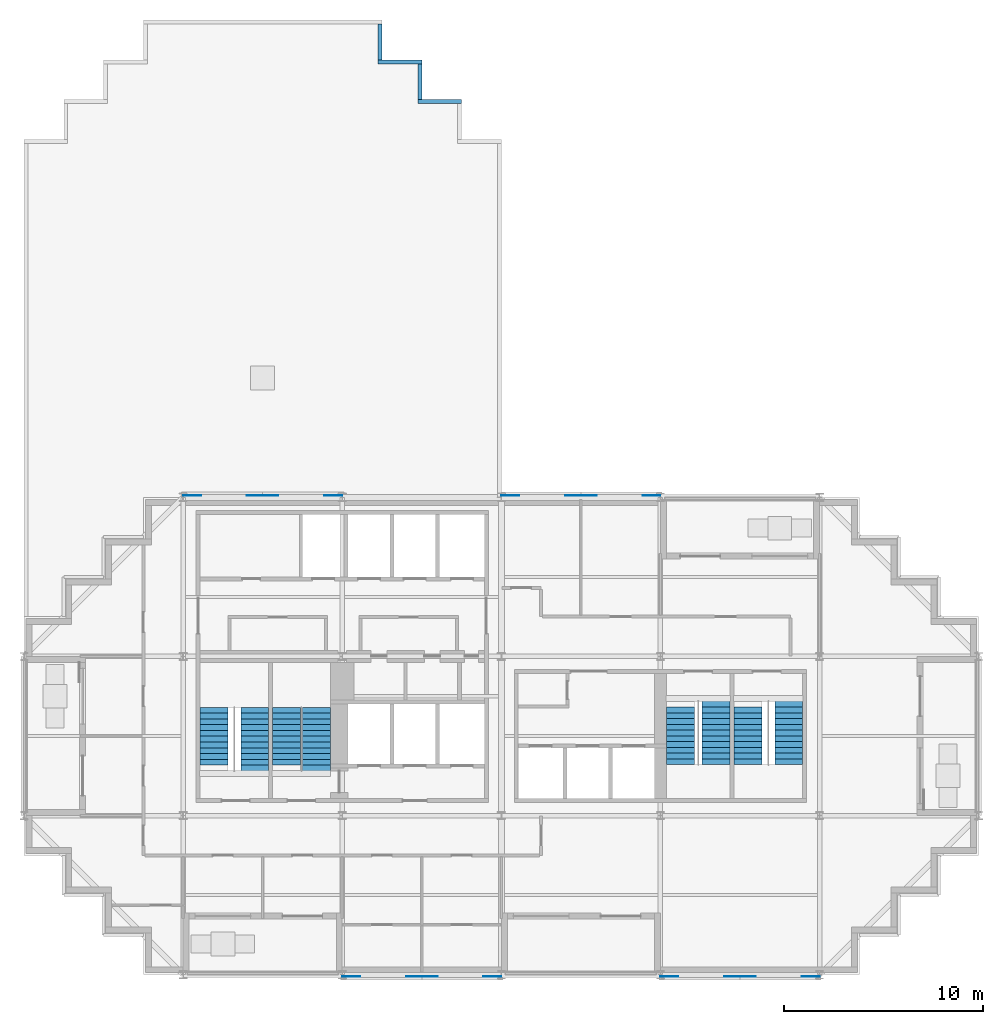
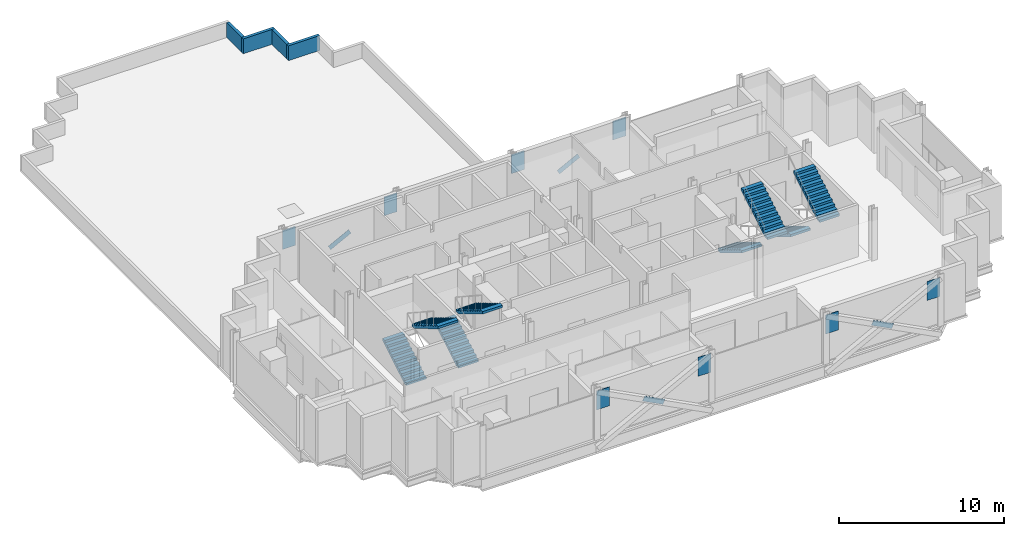
# One storey, part 7 of 9: 12 discrete accessories, 8 stair flights, 4 walls, 4 elements without a shape of their own.
"""IFC4 building model written with IfcOpenShell, lengths in metres."""

from ifc_helpers import new_model, si_unit, direction, frame, frame_2d, origin, origin_2d, place, context, subcontext, project, spatial, polyline, rectangle, outline, extrude, material, layer, layer_set, material_profile, profile_set, type_object, element, aggregate, save


model = new_model("IFC4")

# Units and contexts
model_context = context("Model", 3, precision=1e-05, world=origin(), true_north=direction((0.0, 1.0)))
body_context = subcontext(model_context, "Body", "Model", "MODEL_VIEW")
ifc_project = project(units=[si_unit("LENGTHUNIT", "METRE"), si_unit("AREAUNIT", "SQUARE_METRE"), si_unit("VOLUMEUNIT", "CUBIC_METRE"), si_unit("PLANEANGLEUNIT", "RADIAN"), si_unit("MASSUNIT", "GRAM", prefix="KILO")], contexts=[model_context])

# Site, building, storey
site_placement = place(None, origin())
site = spatial("IfcSite", under=ifc_project, at=site_placement, CompositionType="ELEMENT")
building_placement = place(site_placement, origin())
building = spatial("IfcBuilding", under=site, at=building_placement, Name="Immortelle Media Tower", CompositionType="ELEMENT")
storey_placement = place(building_placement, frame((0.0, 0.0, 189.0)))
storey = spatial("IfcBuildingStorey", under=building, at=storey_placement, Name="L39", CompositionType="ELEMENT", Elevation=189.0)

# Walls
ifc_material_1 = material(Name="Pale aluminium coping panel", Category="aluminium")
ifc_layer_1 = layer(ifc_material_1, 0.030029296875)
ifc_material_2 = material(Name="Steel ASTM A653 SS Gr 50 stud frame with mineral wool", Category="steel")
ifc_layer_2 = layer(ifc_material_2, 0.139892578125)
ifc_layer_3 = layer(ifc_material_1, 0.030029296875)
ifc_layer_set = layer_set([ifc_layer_1, ifc_layer_2, ifc_layer_3], Name="Steel ASTM A653 SS Gr 50 stud frame with mineral wool")
wall_type = type_object("IfcWallType", Name="Parapet 200", PredefinedType="PARAPET", material=ifc_layer_set)
wall_1_placement = place(storey_placement, frame((17.89990234375, 47.800048828125, 0.0), z_axis=(0.0, 0.0, 1.0), x_axis=(0.0, -1.0, 0.0)))
element("IfcWall", 1, at=wall_1_placement, inside=storey, type_object=wall_type, Name="Roof parapet L39 NW", PredefinedType="PARAPET", context=body_context, shape_type="SweptSolid", body=[
    extrude(rectangle(XDim=1.800048828125, YDim=0.199951171875, at=frame_2d((0.89990234375, 0.0))), origin(), (0.0, 0.0, 1.0), 1.10009765625),
])
wall_2_placement = place(storey_placement, frame((17.800048828125, 45.89990234375, 0.0), z_axis=(0.0, 0.0, 1.0), x_axis=(1.0, 0.0, 0.0)))
element("IfcWall", 2, at=wall_2_placement, inside=storey, type_object=wall_type, Name="Roof parapet L39 NW", PredefinedType="PARAPET", context=body_context, shape_type="SweptSolid", body=[
    extrude(rectangle(XDim=2.199951171875, YDim=0.199951171875, at=frame_2d((1.10009765625, 0.0))), origin(), (0.0, 0.0, 1.0), 1.10009765625),
])
wall_3_placement = place(storey_placement, frame((19.89990234375, 45.800048828125, 0.0), z_axis=(0.0, 0.0, 1.0), x_axis=(0.0, -1.0, 0.0)))
element("IfcWall", 3, at=wall_3_placement, inside=storey, type_object=wall_type, Name="Roof parapet L39 NW", PredefinedType="PARAPET", context=body_context, shape_type="SweptSolid", body=[
    extrude(rectangle(XDim=1.800048828125, YDim=0.199951171875, at=frame_2d((0.89990234375, 0.0))), origin(), (0.0, 0.0, 1.0), 1.10009765625),
])
wall_4_placement = place(storey_placement, frame((19.800048828125, 43.89990234375, 0.0), z_axis=(0.0, 0.0, 1.0), x_axis=(1.0, 0.0, 0.0)))
element("IfcWall", 4, at=wall_4_placement, inside=storey, type_object=wall_type, Name="Roof parapet L39 NW", PredefinedType="PARAPET", context=body_context, shape_type="SweptSolid", body=[
    extrude(rectangle(XDim=2.199951171875, YDim=0.199951171875, at=frame_2d((1.10009765625, 0.0))), origin(), (0.0, 0.0, 1.0), 1.10009765625),
])

# Stair, stair flights
ifc_material_3 = material(Name="Steel ASTM A992 Gr 50", Category="steel")
stair_type = type_object("IfcStairType", Name="Stair with flights", PredefinedType="DOUBLE_RETURN_STAIR", material=ifc_material_3)
stair_1_placement = place(storey_placement, origin())
stair_1 = element("IfcStair", 5, at=stair_1_placement, inside=storey, type_object=stair_type, Name="Exit stair SW1", PredefinedType="DOUBLE_RETURN_STAIR")
stair_flight_type = type_object("IfcStairFlightType", Name="Stair flight 1400", PredefinedType="STRAIGHT", material=ifc_material_3)
stair_flight_1_placement = place(storey_placement, frame((9.550048828125, 10.5400390625, 0.0), z_axis=(0.0, 0.0, 1.0), x_axis=(0.0, 1.0, 0.0)))
stair_flight_1 = element("IfcStairFlight", 6, at=stair_flight_1_placement, type_object=stair_flight_type, Name="ST SW1 flight 1", NumberOfRisers=11, NumberOfTreads=10, PredefinedType="STRAIGHT", RiserHeight=0.173913043, TreadLength=0.29, context=body_context, shape_type="SweptSolid", body=[
    extrude(outline(polyline([(0.0, 0.0), (0.0, 0.173828125), (0.2900390625, 0.173828125), (0.2900390625, 0.347900390625), (0.580078125, 0.347900390625), (0.580078125, 0.521728515625), (0.8701171875, 0.521728515625), (0.8701171875, 0.695556640625), (1.159912109375, 0.695556640625), (1.159912109375, 0.86962890625), (1.449951171875, 0.86962890625), (1.449951171875, 1.04345703125), (1.739990234375, 1.04345703125), (1.739990234375, 1.21728515625), (2.030029296875, 1.21728515625), (2.030029296875, 1.391357421875), (2.320068359375, 1.391357421875), (2.320068359375, 1.565185546875), (2.610107421875, 1.565185546875), (2.610107421875, 1.739013671875), (2.89990234375, 1.739013671875), (2.89990234375, 1.9130859375), (2.89990234375, 1.564453125), (0.29150390625, 0.0), (0.0, 0.0)])), frame((0.0, 0.699951171875, 0.0), z_axis=(0.0, -1.0, 0.0), x_axis=(1.0, 0.0, 0.0)), (0.0, 0.0, 1.0), 1.39990234375),
])
stair_flight_2_placement = place(storey_placement, frame((11.60009765625, 13.43994140625, 1.9130859375), z_axis=(0.0, 0.0, 1.0), x_axis=(0.0, -1.0, 0.0)))
stair_flight_2 = element("IfcStairFlight", 7, at=stair_flight_2_placement, type_object=stair_flight_type, Name="ST SW1 flight 2", NumberOfRisers=12, NumberOfTreads=11, PredefinedType="STRAIGHT", RiserHeight=0.173913043, TreadLength=0.29, context=body_context, shape_type="SweptSolid", body=[
    extrude(outline(polyline([(0.0, 0.0), (0.0, 0.173828125), (0.2900390625, 0.173828125), (0.2900390625, 0.347900390625), (0.580078125, 0.347900390625), (0.580078125, 0.521728515625), (0.8701171875, 0.521728515625), (0.8701171875, 0.695556640625), (1.159912109375, 0.695556640625), (1.159912109375, 0.86962890625), (1.449951171875, 0.86962890625), (1.449951171875, 1.04345703125), (1.739990234375, 1.04345703125), (1.739990234375, 1.21728515625), (2.030029296875, 1.21728515625), (2.030029296875, 1.391357421875), (2.320068359375, 1.391357421875), (2.320068359375, 1.565185546875), (2.610107421875, 1.565185546875), (2.610107421875, 1.739013671875), (2.89990234375, 1.739013671875), (2.89990234375, 1.9130859375), (3.18994140625, 1.9130859375), (3.18994140625, 2.0869140625), (3.18994140625, 1.73828125), (0.29150390625, 0.0), (0.0, 0.0)])), frame((0.0, 0.699951171875, 0.0), z_axis=(0.0, -1.0, 0.0), x_axis=(1.0, 0.0, 0.0)), (0.0, 0.0, 1.0), 1.39990234375),
])
aggregate(stair_1, [stair_flight_1, stair_flight_2])

stair_2_placement = place(storey_placement, origin())
stair_2 = element("IfcStair", 8, at=stair_2_placement, inside=storey, type_object=stair_type, Name="Exit stair SW2", PredefinedType="DOUBLE_RETURN_STAIR")
stair_flight_3_placement = place(storey_placement, frame((13.199951171875, 10.5400390625, 0.0), z_axis=(0.0, 0.0, 1.0), x_axis=(0.0, 1.0, 0.0)))
stair_flight_3 = element("IfcStairFlight", 9, at=stair_flight_3_placement, type_object=stair_flight_type, Name="ST SW2 flight 1", NumberOfRisers=11, NumberOfTreads=10, PredefinedType="STRAIGHT", RiserHeight=0.173913043, TreadLength=0.29, context=body_context, shape_type="SweptSolid", body=[
    extrude(outline(polyline([(0.0, 0.0), (0.0, 0.173828125), (0.2900390625, 0.173828125), (0.2900390625, 0.347900390625), (0.580078125, 0.347900390625), (0.580078125, 0.521728515625), (0.8701171875, 0.521728515625), (0.8701171875, 0.695556640625), (1.159912109375, 0.695556640625), (1.159912109375, 0.86962890625), (1.449951171875, 0.86962890625), (1.449951171875, 1.04345703125), (1.739990234375, 1.04345703125), (1.739990234375, 1.21728515625), (2.030029296875, 1.21728515625), (2.030029296875, 1.391357421875), (2.320068359375, 1.391357421875), (2.320068359375, 1.565185546875), (2.610107421875, 1.565185546875), (2.610107421875, 1.739013671875), (2.89990234375, 1.739013671875), (2.89990234375, 1.9130859375), (2.89990234375, 1.564453125), (0.29150390625, 0.0), (0.0, 0.0)])), frame((0.0, 0.699951171875, 0.0), z_axis=(0.0, -1.0, 0.0), x_axis=(1.0, 0.0, 0.0)), (0.0, 0.0, 1.0), 1.39990234375),
])
stair_flight_4_placement = place(storey_placement, frame((14.699951171875, 13.43994140625, 1.9130859375), z_axis=(0.0, 0.0, 1.0), x_axis=(0.0, -1.0, 0.0)))
stair_flight_4 = element("IfcStairFlight", 10, at=stair_flight_4_placement, type_object=stair_flight_type, Name="ST SW2 flight 2", NumberOfRisers=12, NumberOfTreads=11, PredefinedType="STRAIGHT", RiserHeight=0.173913043, TreadLength=0.29, context=body_context, shape_type="SweptSolid", body=[
    extrude(outline(polyline([(0.0, 0.0), (0.0, 0.173828125), (0.2900390625, 0.173828125), (0.2900390625, 0.347900390625), (0.580078125, 0.347900390625), (0.580078125, 0.521728515625), (0.8701171875, 0.521728515625), (0.8701171875, 0.695556640625), (1.159912109375, 0.695556640625), (1.159912109375, 0.86962890625), (1.449951171875, 0.86962890625), (1.449951171875, 1.04345703125), (1.739990234375, 1.04345703125), (1.739990234375, 1.21728515625), (2.030029296875, 1.21728515625), (2.030029296875, 1.391357421875), (2.320068359375, 1.391357421875), (2.320068359375, 1.565185546875), (2.610107421875, 1.565185546875), (2.610107421875, 1.739013671875), (2.89990234375, 1.739013671875), (2.89990234375, 1.9130859375), (3.18994140625, 1.9130859375), (3.18994140625, 2.0869140625), (3.18994140625, 1.73828125), (0.29150390625, 0.0), (0.0, 0.0)])), frame((0.0, 0.699951171875, 0.0), z_axis=(0.0, -1.0, 0.0), x_axis=(1.0, 0.0, 0.0)), (0.0, 0.0, 1.0), 1.39990234375),
])
aggregate(stair_2, [stair_flight_3, stair_flight_4])

stair_3_placement = place(storey_placement, origin())
stair_3 = element("IfcStair", 11, at=stair_3_placement, inside=storey, type_object=stair_type, Name="Exit stair SE1", PredefinedType="DOUBLE_RETURN_STAIR")
stair_flight_5_placement = place(storey_placement, frame((33.0, 13.4599609375, 0.0), z_axis=(0.0, 0.0, 1.0), x_axis=(0.0, -1.0, 0.0)))
stair_flight_5 = element("IfcStairFlight", 12, at=stair_flight_5_placement, type_object=stair_flight_type, Name="ST SE1 flight 1", NumberOfRisers=11, NumberOfTreads=10, PredefinedType="STRAIGHT", RiserHeight=0.173913043, TreadLength=0.29, context=body_context, shape_type="SweptSolid", body=[
    extrude(outline(polyline([(0.0, 0.0), (0.0, 0.173828125), (0.2900390625, 0.173828125), (0.2900390625, 0.347900390625), (0.580078125, 0.347900390625), (0.580078125, 0.521728515625), (0.8701171875, 0.521728515625), (0.8701171875, 0.695556640625), (1.159912109375, 0.695556640625), (1.159912109375, 0.86962890625), (1.449951171875, 0.86962890625), (1.449951171875, 1.04345703125), (1.739990234375, 1.04345703125), (1.739990234375, 1.21728515625), (2.030029296875, 1.21728515625), (2.030029296875, 1.391357421875), (2.320068359375, 1.391357421875), (2.320068359375, 1.565185546875), (2.610107421875, 1.565185546875), (2.610107421875, 1.739013671875), (2.89990234375, 1.739013671875), (2.89990234375, 1.9130859375), (2.89990234375, 1.564453125), (0.29150390625, 0.0), (0.0, 0.0)])), frame((0.0, 0.699951171875, 0.0), z_axis=(0.0, -1.0, 0.0), x_axis=(1.0, 0.0, 0.0)), (0.0, 0.0, 1.0), 1.39990234375),
])
stair_flight_6_placement = place(storey_placement, frame((34.800048828125, 10.56005859375, 1.9130859375), z_axis=(0.0, 0.0, 1.0), x_axis=(0.0, 1.0, 0.0)))
stair_flight_6 = element("IfcStairFlight", 13, at=stair_flight_6_placement, type_object=stair_flight_type, Name="ST SE1 flight 2", NumberOfRisers=12, NumberOfTreads=11, PredefinedType="STRAIGHT", RiserHeight=0.173913043, TreadLength=0.29, context=body_context, shape_type="SweptSolid", body=[
    extrude(outline(polyline([(0.0, 0.0), (0.0, 0.173828125), (0.2900390625, 0.173828125), (0.2900390625, 0.347900390625), (0.580078125, 0.347900390625), (0.580078125, 0.521728515625), (0.8701171875, 0.521728515625), (0.8701171875, 0.695556640625), (1.159912109375, 0.695556640625), (1.159912109375, 0.86962890625), (1.449951171875, 0.86962890625), (1.449951171875, 1.04345703125), (1.739990234375, 1.04345703125), (1.739990234375, 1.21728515625), (2.030029296875, 1.21728515625), (2.030029296875, 1.391357421875), (2.320068359375, 1.391357421875), (2.320068359375, 1.565185546875), (2.610107421875, 1.565185546875), (2.610107421875, 1.739013671875), (2.89990234375, 1.739013671875), (2.89990234375, 1.9130859375), (3.18994140625, 1.9130859375), (3.18994140625, 2.0869140625), (3.18994140625, 1.73828125), (0.29150390625, 0.0), (0.0, 0.0)])), frame((0.0, 0.699951171875, 0.0), z_axis=(0.0, -1.0, 0.0), x_axis=(1.0, 0.0, 0.0)), (0.0, 0.0, 1.0), 1.39990234375),
])
aggregate(stair_3, [stair_flight_5, stair_flight_6])

stair_4_placement = place(storey_placement, origin())
stair_4 = element("IfcStair", 14, at=stair_4_placement, inside=storey, type_object=stair_type, Name="Exit stair SE2", PredefinedType="DOUBLE_RETURN_STAIR")
stair_flight_7_placement = place(storey_placement, frame((36.39990234375, 13.4599609375, 0.0), z_axis=(0.0, 0.0, 1.0), x_axis=(0.0, -1.0, 0.0)))
stair_flight_7 = element("IfcStairFlight", 15, at=stair_flight_7_placement, type_object=stair_flight_type, Name="ST SE2 flight 1", NumberOfRisers=11, NumberOfTreads=10, PredefinedType="STRAIGHT", RiserHeight=0.173913043, TreadLength=0.29, context=body_context, shape_type="SweptSolid", body=[
    extrude(outline(polyline([(0.0, 0.0), (0.0, 0.173828125), (0.2900390625, 0.173828125), (0.2900390625, 0.347900390625), (0.580078125, 0.347900390625), (0.580078125, 0.521728515625), (0.8701171875, 0.521728515625), (0.8701171875, 0.695556640625), (1.159912109375, 0.695556640625), (1.159912109375, 0.86962890625), (1.449951171875, 0.86962890625), (1.449951171875, 1.04345703125), (1.739990234375, 1.04345703125), (1.739990234375, 1.21728515625), (2.030029296875, 1.21728515625), (2.030029296875, 1.391357421875), (2.320068359375, 1.391357421875), (2.320068359375, 1.565185546875), (2.610107421875, 1.565185546875), (2.610107421875, 1.739013671875), (2.89990234375, 1.739013671875), (2.89990234375, 1.9130859375), (2.89990234375, 1.564453125), (0.29150390625, 0.0), (0.0, 0.0)])), frame((0.0, 0.699951171875, 0.0), z_axis=(0.0, -1.0, 0.0), x_axis=(1.0, 0.0, 0.0)), (0.0, 0.0, 1.0), 1.39990234375),
])
stair_flight_8_placement = place(storey_placement, frame((38.449951171875, 10.56005859375, 1.9130859375), z_axis=(0.0, 0.0, 1.0), x_axis=(0.0, 1.0, 0.0)))
stair_flight_8 = element("IfcStairFlight", 16, at=stair_flight_8_placement, type_object=stair_flight_type, Name="ST SE2 flight 2", NumberOfRisers=12, NumberOfTreads=11, PredefinedType="STRAIGHT", RiserHeight=0.173913043, TreadLength=0.29, context=body_context, shape_type="SweptSolid", body=[
    extrude(outline(polyline([(0.0, 0.0), (0.0, 0.173828125), (0.2900390625, 0.173828125), (0.2900390625, 0.347900390625), (0.580078125, 0.347900390625), (0.580078125, 0.521728515625), (0.8701171875, 0.521728515625), (0.8701171875, 0.695556640625), (1.159912109375, 0.695556640625), (1.159912109375, 0.86962890625), (1.449951171875, 0.86962890625), (1.449951171875, 1.04345703125), (1.739990234375, 1.04345703125), (1.739990234375, 1.21728515625), (2.030029296875, 1.21728515625), (2.030029296875, 1.391357421875), (2.320068359375, 1.391357421875), (2.320068359375, 1.565185546875), (2.610107421875, 1.565185546875), (2.610107421875, 1.739013671875), (2.89990234375, 1.739013671875), (2.89990234375, 1.9130859375), (3.18994140625, 1.9130859375), (3.18994140625, 2.0869140625), (3.18994140625, 1.73828125), (0.29150390625, 0.0), (0.0, 0.0)])), frame((0.0, 0.699951171875, 0.0), z_axis=(0.0, -1.0, 0.0), x_axis=(1.0, 0.0, 0.0)), (0.0, 0.0, 1.0), 1.39990234375),
])
aggregate(stair_4, [stair_flight_7, stair_flight_8])

# Discrete accessories
ifc_material_4 = material(Name="Steel ASTM A572 Gr 50", Category="steel")
ifc_material_profile_1 = material_profile(ifc_material_4, rectangle(XDim=0.02392578125, YDim=0.35595703125, at=origin_2d()), Name="PL 24 x 356")
ifc_profile_set_1 = profile_set([ifc_material_profile_1], Name="Steel ASTM A572 Gr 50")
discrete_accessory_type_1 = type_object("IfcDiscreteAccessoryType", Name="Crossing plate XP-BR5 1600 x 356 x 24", PredefinedType="USERDEFINED", material=ifc_profile_set_1)
for number, where, z_axis, x_axis, name in (
    (17, (28.710205078125, 24.087890625, 1.8369140625), (-0.887676004738, 0.0, -0.460468577226), (0.0, -1.0, 0.0), "Crossing plate XP-BR5 of Brace D/4-5 A and Brace D/4-5 B"),
    (18, (12.710205078125, 24.087890625, 1.8369140625), (-0.887676004738, 0.0, -0.460468577226), (0.0, -1.0, 0.0), "Crossing plate XP-BR5 of Brace D/2-3 A and Brace D/2-3 B"),
    (19, (19.289794921875, -0.087890625, 1.8369140625), (0.887676004738, 0.0, -0.460468577226), (0.0, 1.0, 0.0), "Crossing plate XP-BR5 of Brace A/3-4 A and Brace A/3-4 B"),
    (20, (35.289794921875, -0.087890625, 1.8369140625), (0.887676004738, 0.0, -0.460468577226), (0.0, 1.0, 0.0), "Crossing plate XP-BR5 of Brace A/5-6 A and Brace A/5-6 B"),
):
    element("IfcDiscreteAccessory", number, at=place(storey_placement, frame(where, z_axis=z_axis, x_axis=x_axis)), inside=storey, type_object=discrete_accessory_type_1, Name=name, ObjectType="CROSSING PLATE", PredefinedType="USERDEFINED", context=body_context, shape_type="SweptSolid", body=[
        extrude(rectangle(XDim=0.02392578125, YDim=0.35595703125, at=origin_2d()), origin(), (0.0, 0.0, 1.0), 1.60009765625),
    ])
ifc_material_profile_2 = material_profile(ifc_material_4, rectangle(XDim=0.031982421875, YDim=1.39990234375, at=origin_2d()), Name="PL 32 x 1400")
ifc_profile_set_2 = profile_set([ifc_material_profile_2], Name="Steel ASTM A572 Gr 50")
discrete_accessory_type_2 = type_object("IfcDiscreteAccessoryType", Name="Gusset plate GP1 900 x 1400 x 32", PredefinedType="USERDEFINED", material=ifc_profile_set_2)
for number, where, z_axis, x_axis, name in (
    (21, (24.0, -0.087890625, 2.843994140625), (-1.0, 0.0, 0.0), (0.0, -1.0, 0.0), "Gusset plate GP1, upper end of Brace A/3-4 A"),
    (22, (16.0, -0.087890625, 2.843994140625), (1.0, 0.0, 0.0), (0.0, 1.0, 0.0), "Gusset plate GP1, upper end of Brace A/3-4 B"),
    (23, (40.0, -0.087890625, 2.843994140625), (-1.0, 0.0, 0.0), (0.0, -1.0, 0.0), "Gusset plate GP1, upper end of Brace A/5-6 A"),
    (24, (32.0, -0.087890625, 2.843994140625), (1.0, 0.0, 0.0), (0.0, 1.0, 0.0), "Gusset plate GP1, upper end of Brace A/5-6 B"),
    (25, (24.0, 24.087890625, 2.843994140625), (1.0, 0.0, 0.0), (0.0, 1.0, 0.0), "Gusset plate GP1, upper end of Brace D/4-5 A"),
    (26, (32.0, 24.087890625, 2.843994140625), (-1.0, 0.0, 0.0), (0.0, -1.0, 0.0), "Gusset plate GP1, upper end of Brace D/4-5 B"),
    (27, (8.0, 24.087890625, 2.843994140625), (1.0, 0.0, 0.0), (0.0, 1.0, 0.0), "Gusset plate GP1, upper end of Brace D/2-3 A"),
    (28, (16.0, 24.087890625, 2.843994140625), (-1.0, 0.0, 0.0), (0.0, -1.0, 0.0), "Gusset plate GP1, upper end of Brace D/2-3 B"),
):
    element("IfcDiscreteAccessory", number, at=place(storey_placement, frame(where, z_axis=z_axis, x_axis=x_axis)), inside=storey, type_object=discrete_accessory_type_2, Name=name, ObjectType="GUSSET PLATE", PredefinedType="USERDEFINED", context=body_context, shape_type="SweptSolid", body=[
        extrude(rectangle(XDim=0.031982421875, YDim=1.39990234375, at=origin_2d()), origin(), (0.0, 0.0, 1.0), 0.89990234375),
    ])

save(model, "model.ifc")
